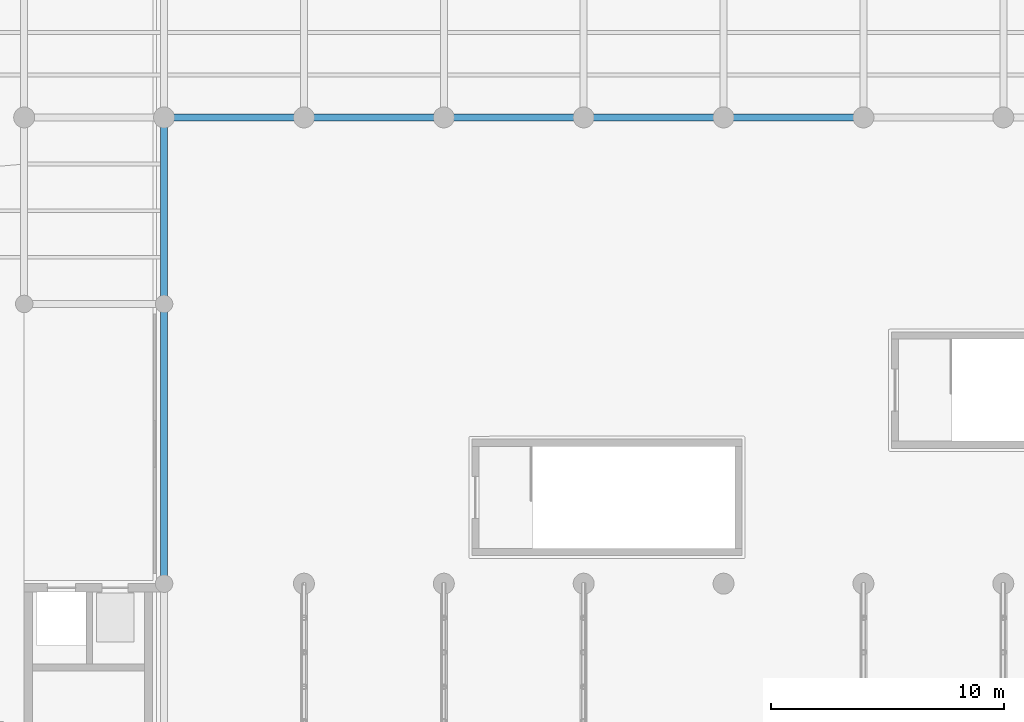
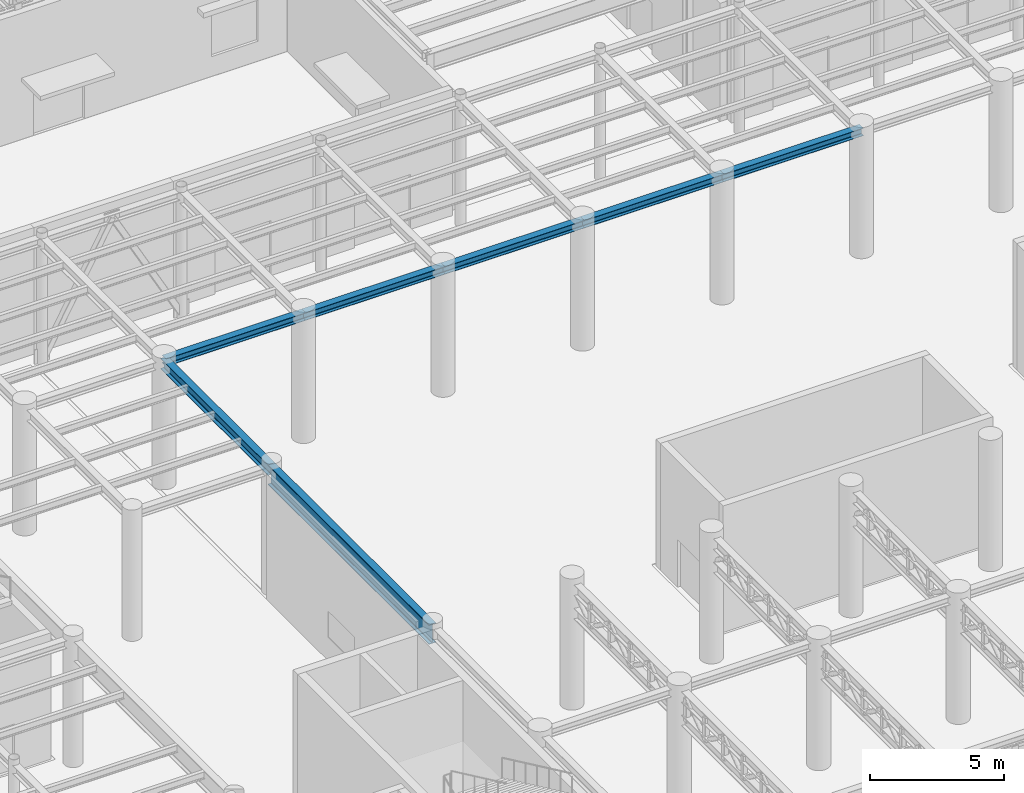
# One storey, part 28 of 118: 7 beams.
"""IFC4 building model written with IfcOpenShell, lengths in metres."""

from ifc_helpers import new_model, si_unit, direction, frame, origin, origin_2d, place, context, subcontext, project, spatial, i_section, extrude, material, material_profile, profile_set, type_object, element, save


model = new_model("IFC4")

# Units and contexts
model_context = context("Model", 3, precision=1e-05, world=origin(), true_north=direction((0.0, 1.0)))
body_context = subcontext(model_context, "Body", "Model", "MODEL_VIEW")
ifc_project = project(units=[si_unit("LENGTHUNIT", "METRE"), si_unit("AREAUNIT", "SQUARE_METRE"), si_unit("VOLUMEUNIT", "CUBIC_METRE"), si_unit("PLANEANGLEUNIT", "RADIAN"), si_unit("MASSUNIT", "GRAM", prefix="KILO")], contexts=[model_context])

# Site, building, storey
site_placement = place(None, origin())
site = spatial("IfcSite", under=ifc_project, at=site_placement, CompositionType="ELEMENT")
building_placement = place(site_placement, origin())
building = spatial("IfcBuilding", under=site, at=building_placement, Name="Kolvaren Corner Interchange", CompositionType="ELEMENT")
storey_placement = place(building_placement, origin())
storey = spatial("IfcBuildingStorey", under=building, at=storey_placement, Name="L01", CompositionType="ELEMENT", Elevation=0.0)

# Beams
ifc_material_1 = material(Name="Steel S355", Category="steel")
ifc_material_profile_1 = material_profile(ifc_material_1, i_section(OverallWidth=0.300048828125, OverallDepth=0.35009765625, WebThickness=0.010009765625, FlangeThickness=0.017578125, FilletRadius=0.027099609375, at=origin_2d()), Name="HEA 360")
ifc_profile_set_1 = profile_set([ifc_material_profile_1], Name="Steel S355")
beam_type_1 = type_object("IfcBeamType", Name="BM-HEA360", PredefinedType="BEAM", material=ifc_profile_set_1)
for number, where, z_axis, x_axis, name in (
    (1, (66.0, 62.0, 5.574951171875), (1.0, 0.0, 0.0), (0.0, 1.0, 0.0), "Storey L01 Grid X Primary Girder 0271"),
    (2, (72.0, 62.0, 5.574951171875), (1.0, 0.0, 0.0), (0.0, 1.0, 0.0), "Storey L01 Grid X Primary Girder 0272"),
    (3, (78.0, 62.0, 5.574951171875), (1.0, 0.0, 0.0), (0.0, 1.0, 0.0), "Storey L01 Grid X Primary Girder 0273"),
    (4, (84.0, 62.0, 5.574951171875), (1.0, 0.0, 0.0), (0.0, 1.0, 0.0), "Storey L01 Grid X Primary Girder 0274"),
    (5, (90.0, 62.0, 5.574951171875), (1.0, 0.0, 0.0), (0.0, 1.0, 0.0), "Storey L01 Grid X Primary Girder 0275"),
):
    element("IfcBeam", number, at=place(storey_placement, frame(where, z_axis=z_axis, x_axis=x_axis)), inside=storey, type_object=beam_type_1, Name=name, PredefinedType="BEAM", context=body_context, shape_type="SweptSolid", body=[
        extrude(i_section(OverallWidth=0.300048828125, OverallDepth=0.35009765625, WebThickness=0.010009765625, FlangeThickness=0.017578125, FilletRadius=0.027099609375, at=origin_2d()), origin(), (0.0, 0.0, 1.0), 6.0),
    ])
ifc_material_2 = material(Name="Steel S355", Category="steel")
ifc_material_profile_2 = material_profile(ifc_material_2, i_section(OverallWidth=0.300048828125, OverallDepth=0.489990234375, WebThickness=0.011962890625, FlangeThickness=0.02294921875, FilletRadius=0.027099609375, at=origin_2d()), Name="HEA 500")
ifc_profile_set_2 = profile_set([ifc_material_profile_2], Name="Steel S355")
beam_type_2 = type_object("IfcBeamType", Name="BM-HEA500", PredefinedType="BEAM", material=ifc_profile_set_2)
beam_1_placement = place(storey_placement, frame((66.0, 54.0, 5.5048828125), z_axis=(0.0, 1.0, 0.0), x_axis=(-1.0, 0.0, 0.0)))
element("IfcBeam", 6, at=beam_1_placement, inside=storey, type_object=beam_type_2, Name="Storey L01 Grid Y Primary Girder 0349", PredefinedType="BEAM", context=body_context, shape_type="SweptSolid", body=[
    extrude(i_section(OverallWidth=0.300048828125, OverallDepth=0.489990234375, WebThickness=0.011962890625, FlangeThickness=0.02294921875, FilletRadius=0.027099609375, at=origin_2d()), origin(), (0.0, 0.0, 1.0), 8.0),
])
ifc_material_3 = material(Name="Steel S355", Category="steel")
ifc_material_profile_3 = material_profile(ifc_material_3, i_section(OverallWidth=0.300048828125, OverallDepth=0.89990234375, WebThickness=0.0185546875, FlangeThickness=0.034912109375, FilletRadius=0.030029296875, at=origin_2d()), Name="HEB 900")
ifc_profile_set_3 = profile_set([ifc_material_profile_3], Name="Steel S355")
beam_type_3 = type_object("IfcBeamType", Name="BM-HEB900", PredefinedType="BEAM", material=ifc_profile_set_3)
beam_2_placement = place(storey_placement, frame((66.0, 42.0, 5.300048828125), z_axis=(0.0, 1.0, 0.0), x_axis=(-1.0, 0.0, 0.0)))
element("IfcBeam", 7, at=beam_2_placement, inside=storey, type_object=beam_type_3, Name="Storey L01 Grid Y Primary Girder 0348", PredefinedType="BEAM", context=body_context, shape_type="SweptSolid", body=[
    extrude(i_section(OverallWidth=0.300048828125, OverallDepth=0.89990234375, WebThickness=0.0185546875, FlangeThickness=0.034912109375, FilletRadius=0.030029296875, at=origin_2d()), origin(), (0.0, 0.0, 1.0), 12.0),
])

save(model, "model.ifc")
